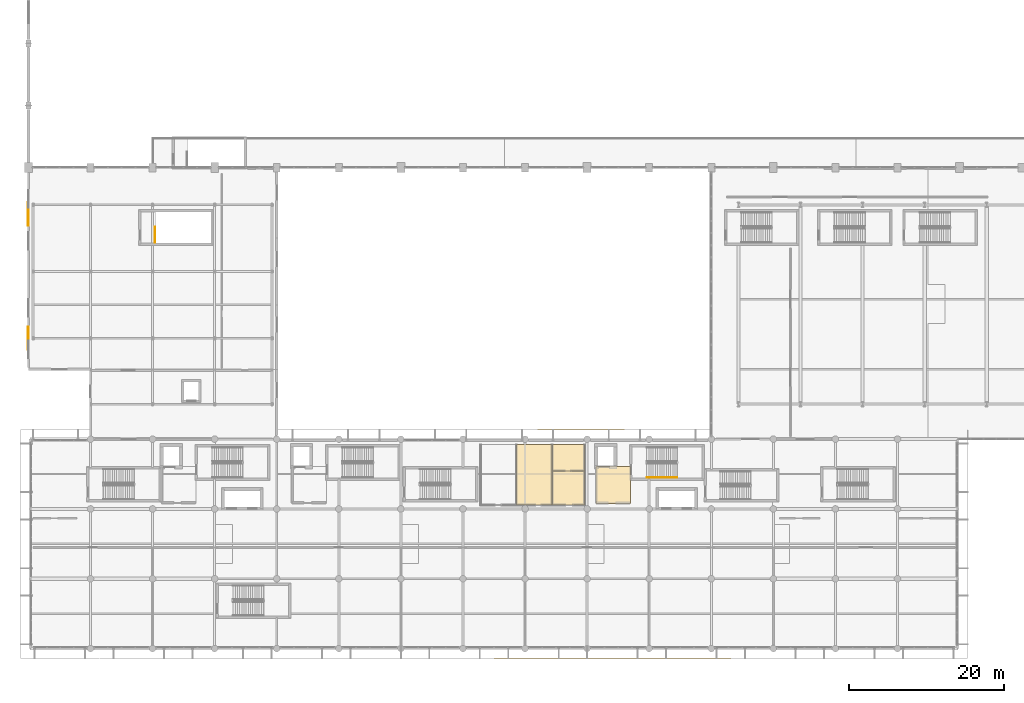
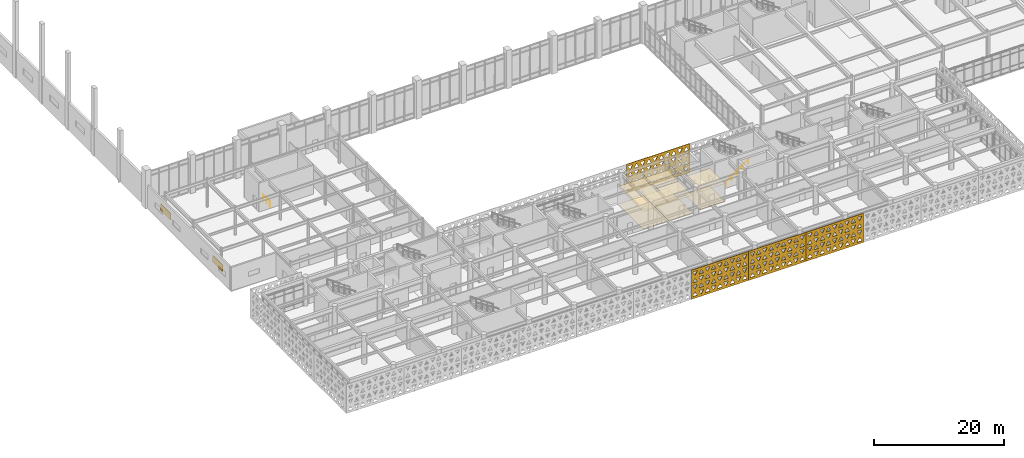
# One storey, part 76 of 84: 12 coverings, 2 railings, 2 shading devices.
"""IFC4 building model written with IfcOpenShell, lengths in metres."""

from ifc_helpers import new_model, si_unit, direction, frame, origin, origin_2d, place, context, subcontext, project, spatial, polyline, rectangle, circle, outline, extrude, material, layer, layer_set, type_object, element, save


model = new_model("IFC4")

# Units and contexts
model_context = context("Model", 3, precision=1e-05, world=origin(), true_north=direction((0.0, 1.0)))
body_context = subcontext(model_context, "Body", "Model", "MODEL_VIEW")
ifc_project = project(units=[si_unit("LENGTHUNIT", "METRE"), si_unit("AREAUNIT", "SQUARE_METRE"), si_unit("VOLUMEUNIT", "CUBIC_METRE"), si_unit("PLANEANGLEUNIT", "RADIAN"), si_unit("MASSUNIT", "GRAM", prefix="KILO")], contexts=[model_context])

# Site, building, storey
site_placement = place(None, origin())
site = spatial("IfcSite", under=ifc_project, at=site_placement, CompositionType="ELEMENT")
building_placement = place(site_placement, origin())
building = spatial("IfcBuilding", under=site, at=building_placement, Name="Tlacozan Convention Centre", CompositionType="ELEMENT")
storey_placement = place(building_placement, frame((0.0, 0.0, 6.0)))
storey = spatial("IfcBuildingStorey", under=building, at=storey_placement, Name="L01", CompositionType="ELEMENT", Elevation=6.0)

# Coverings
ifc_material_1 = material(Name="Perforated Acoustic Mineral Fibre Ceiling")
ifc_layer_1 = layer(ifc_material_1, 0.02490234375)
ifc_layer_set_1 = layer_set([ifc_layer_1], Name="Perforated Acoustic Mineral Fibre Ceiling")
covering_type_1 = type_object("IfcCoveringType", Name="Acoustic Mineral Fibre Ceiling 25", PredefinedType="CEILING", material=ifc_layer_set_1)
covering_1_placement = place(storey_placement, frame((0.0, 0.0, 3.300048828125)))
element("IfcCovering", 1, at=covering_1_placement, inside=storey, type_object=covering_type_1, Name="L01 Acoustic Ceiling L01-FFL-2", PredefinedType="CEILING", context=body_context, shape_type="SweptSolid", body=[
    extrude(outline(polyline([(73.1201171875, 18.719970703125), (77.580078125, 18.719970703125), (77.580078125, 23.47998046875), (73.1201171875, 23.47998046875), (73.1201171875, 18.719970703125)])), origin(), (0.0, 0.0, 1.0), 0.02490234375),
])
covering_2_placement = place(storey_placement, frame((0.0, 0.0, 3.300048828125)))
element("IfcCovering", 2, at=covering_2_placement, inside=storey, type_object=covering_type_1, Name="L01 Acoustic Ceiling L01-WC2", PredefinedType="CEILING", context=body_context, shape_type="SweptSolid", body=[
    extrude(outline(polyline([(62.919921875, 18.52001953125), (67.47998046875, 18.52001953125), (67.47998046875, 26.280029296875), (62.919921875, 26.280029296875), (62.919921875, 18.52001953125)])), origin(), (0.0, 0.0, 1.0), 0.02490234375),
])
covering_3_placement = place(storey_placement, frame((0.0, 0.0, 3.300048828125)))
element("IfcCovering", 3, at=covering_3_placement, inside=storey, type_object=covering_type_1, Name="L01 Acoustic Ceiling L01-WCA", PredefinedType="CEILING", context=body_context, shape_type="SweptSolid", body=[
    extrude(outline(polyline([(67.52001953125, 18.52001953125), (71.679931640625, 18.52001953125), (71.679931640625, 22.8798828125), (67.52001953125, 22.8798828125), (67.52001953125, 18.52001953125)])), origin(), (0.0, 0.0, 1.0), 0.02490234375),
])
covering_4_placement = place(storey_placement, frame((0.0, 0.0, 3.300048828125)))
element("IfcCovering", 4, at=covering_4_placement, inside=storey, type_object=covering_type_1, Name="L01 Acoustic Ceiling L01-JAN", PredefinedType="CEILING", context=body_context, shape_type="SweptSolid", body=[
    extrude(outline(polyline([(67.52001953125, 22.919921875), (71.679931640625, 22.919921875), (71.679931640625, 26.280029296875), (67.52001953125, 26.280029296875), (67.52001953125, 22.919921875)])), origin(), (0.0, 0.0, 1.0), 0.02490234375),
])

# Shading devices
ifc_material_2 = material(Name="Dark Bronze Anodised Aluminium", Category="aluminium")
ifc_layer_2 = layer(ifc_material_2, 0.1201171875)
ifc_layer_set_2 = layer_set([ifc_layer_2], Name="Dark Bronze Anodised Aluminium")
shading_device_type = type_object("IfcShadingDeviceType", Name="Acoustic Plant Louvre Bank", PredefinedType="JALOUSIE", material=ifc_layer_set_2)
for number, where, z_axis, x_axis, name in (
    (5, (0.0, 40.0, 2.0), (0.0, 0.0, 1.0), (0.0, 1.0, 0.0), "L01 Acoustic Plant Louvre 4"),
    (6, (0.0, 56.0, 2.0), (0.0, 0.0, 1.0), (0.0, 1.0, 0.0), "L01 Acoustic Plant Louvre 5"),
):
    element("IfcShadingDevice", number, at=place(storey_placement, frame(where, z_axis=z_axis, x_axis=x_axis)), inside=storey, type_object=shading_device_type, Name=name, PredefinedType="JALOUSIE", context=body_context, shape_type="SweptSolid", body=[
        extrude(rectangle(XDim=3.0, YDim=0.1201171875, at=origin_2d()), origin(), (0.0, 0.0, 1.0), 1.199951171875),
    ])

# Coverings
ifc_material_3 = material(Name="Polished Basalt Terrazzo Flooring", Category="masonry")
ifc_layer_3 = layer(ifc_material_3, 0.02001953125)
ifc_layer_set_3 = layer_set([ifc_layer_3], Name="Polished Basalt Terrazzo Flooring")
covering_type_2 = type_object("IfcCoveringType", Name="Polished Basalt Terrazzo Flooring 20", PredefinedType="FLOORING", material=ifc_layer_set_3)
covering_5_placement = place(storey_placement, origin())
element("IfcCovering", 7, at=covering_5_placement, inside=storey, type_object=covering_type_2, Name="L01 Terrazzo Flooring L01-FFL-2", PredefinedType="FLOORING", context=body_context, shape_type="SweptSolid", body=[
    extrude(outline(polyline([(73.1201171875, 18.719970703125), (77.580078125, 18.719970703125), (77.580078125, 23.47998046875), (73.1201171875, 23.47998046875), (73.1201171875, 18.719970703125)])), origin(), (0.0, 0.0, 1.0), 0.02001953125),
])
covering_6_placement = place(storey_placement, origin())
element("IfcCovering", 8, at=covering_6_placement, inside=storey, type_object=covering_type_2, Name="L01 Terrazzo Flooring L01-WC2", PredefinedType="FLOORING", context=body_context, shape_type="SweptSolid", body=[
    extrude(outline(polyline([(62.919921875, 18.52001953125), (67.47998046875, 18.52001953125), (67.47998046875, 26.280029296875), (62.919921875, 26.280029296875), (62.919921875, 18.52001953125)])), origin(), (0.0, 0.0, 1.0), 0.02001953125),
])
covering_7_placement = place(storey_placement, origin())
element("IfcCovering", 9, at=covering_7_placement, inside=storey, type_object=covering_type_2, Name="L01 Terrazzo Flooring L01-WCA", PredefinedType="FLOORING", context=body_context, shape_type="SweptSolid", body=[
    extrude(outline(polyline([(67.52001953125, 18.52001953125), (71.679931640625, 18.52001953125), (71.679931640625, 22.8798828125), (67.52001953125, 22.8798828125), (67.52001953125, 18.52001953125)])), origin(), (0.0, 0.0, 1.0), 0.02001953125),
])
covering_8_placement = place(storey_placement, origin())
element("IfcCovering", 10, at=covering_8_placement, inside=storey, type_object=covering_type_2, Name="L01 Terrazzo Flooring L01-JAN", PredefinedType="FLOORING", context=body_context, shape_type="SweptSolid", body=[
    extrude(outline(polyline([(67.52001953125, 22.919921875), (71.679931640625, 22.919921875), (71.679931640625, 26.280029296875), (67.52001953125, 26.280029296875), (67.52001953125, 22.919921875)])), origin(), (0.0, 0.0, 1.0), 0.02001953125),
])

# Railings
ifc_material_4 = material(Name="Architectural Painted Galvanised Steel Railing", Category="steel")
railing_type_1 = type_object("IfcRailingType", Name="Stair Wall Handrail 900", PredefinedType="HANDRAIL", material=ifc_material_4)
railing_1_placement = place(storey_placement, frame((79.679931640625, 22.050048828125, 0.179931640625)))
element("IfcRailing", 11, at=railing_1_placement, inside=storey, type_object=railing_type_1, Name="L01 ST-02 stair handrail 1", PredefinedType="HANDRAIL", context=body_context, shape_type="SweptSolid", body=[
    extrude(circle(Radius=0.02392578125, at=origin_2d()), frame((0.0, 0.0, 0.8759765625), z_axis=(0.823567234665, 0.0, 0.567218661528), x_axis=(0.0, 1.0, 0.0)), (0.0, 0.0, 1.0), 4.760009765625),
    extrude(circle(Radius=0.02099609375, at=origin_2d()), origin(), (0.0, 0.0, 1.0), 0.851806640625),
    extrude(circle(Radius=0.02099609375, at=origin_2d()), frame((0.97998046875, 0.0, 0.675048828125)), (0.0, 0.0, 1.0), 0.851806640625),
    extrude(circle(Radius=0.02099609375, at=origin_2d()), frame((1.9599609375, 0.0, 1.35009765625)), (0.0, 0.0, 1.0), 0.851806640625),
    extrude(circle(Radius=0.02099609375, at=origin_2d()), frame((2.940185546875, 0.0, 2.02490234375)), (0.0, 0.0, 1.0), 0.851806640625),
    extrude(circle(Radius=0.02099609375, at=origin_2d()), frame((3.920166015625, 0.0, 2.699951171875)), (0.0, 0.0, 1.0), 0.851806640625),
])
railing_type_2 = type_object("IfcRailingType", Name="Stair Well Guardrail 1100", PredefinedType="GUARDRAIL", material=ifc_material_4)
railing_2_placement = place(storey_placement, frame((16.330078125, 52.300048828125, 0.0)))
element("IfcRailing", 12, at=railing_2_placement, inside=storey, type_object=railing_type_2, Name="L01 ST-09 top well guard 1", PredefinedType="GUARDRAIL", context=body_context, shape_type="SweptSolid", body=[
    extrude(circle(Radius=0.02392578125, at=origin_2d()), frame((0.0, 0.0, 1.076171875), z_axis=(0.0, 1.0, 0.0), x_axis=(-1.0, 0.0, 0.0)), (0.0, 0.0, 1.0), 2.079833984375),
    extrude(circle(Radius=0.02099609375, at=origin_2d()), origin(), (0.0, 0.0, 1.0), 1.052001953125),
    extrude(circle(Radius=0.02099609375, at=origin_2d()), frame((0.0, 1.0400390625, 0.0)), (0.0, 0.0, 1.0), 1.052001953125),
    extrude(circle(Radius=0.02099609375, at=origin_2d()), frame((0.0, 2.079833984375, 0.0)), (0.0, 0.0, 1.0), 1.052001953125),
])

# Coverings
ifc_material_5 = material(Name="Toluca Fired Terracotta Masonry Solar Screen", Category="masonry")
ifc_layer_4 = layer(ifc_material_5, 0.080078125)
ifc_layer_set_4 = layer_set([ifc_layer_4], Name="Toluca Fired Terracotta Masonry Solar Screen")
covering_type_3 = type_object("IfcCoveringType", Name="Terracotta Triangle Solar Screen 80", PredefinedType="USERDEFINED", material=ifc_layer_set_4)
covering_9_placement = place(storey_placement, frame((60.001953125, -1.25, -0.10009765625), z_axis=(0.0, 0.0, 1.0), x_axis=(1.0, 0.0, 0.0)))
element("IfcCovering", 13, at=covering_9_placement, inside=storey, type_object=covering_type_3, Name="L01 Terracotta Triangle Screen 7", ObjectType="SCREEN", PredefinedType="USERDEFINED", context=body_context, shape_type="SweptSolid", body=[
    extrude(outline(polyline([(0.0, 0.0), (10.171142578125, 0.0), (10.171142578125, 5.4501953125), (0.0, 5.4501953125), (0.0, 0.0)]), holes=[polyline([(0.271484375, 0.41796875), (1.099609375, 0.41796875), (0.685546875, 1.1845703125), (0.271484375, 0.41796875)]), polyline([(1.37158203125, 1.1845703125), (2.19970703125, 1.1845703125), (1.78564453125, 0.41796875), (1.37158203125, 1.1845703125)]), polyline([(2.471435546875, 0.41796875), (3.299560546875, 0.41796875), (2.885498046875, 1.1845703125), (2.471435546875, 0.41796875)]), polyline([(3.571533203125, 1.1845703125), (4.399658203125, 1.1845703125), (3.985595703125, 0.41796875), (3.571533203125, 1.1845703125)]), polyline([(4.671630859375, 0.41796875), (5.49951171875, 0.41796875), (5.08544921875, 1.1845703125), (4.671630859375, 0.41796875)]), polyline([(5.771484375, 1.1845703125), (6.599609375, 1.1845703125), (6.185546875, 0.41796875), (5.771484375, 1.1845703125)]), polyline([(6.87158203125, 0.41796875), (7.69970703125, 0.41796875), (7.28564453125, 1.1845703125), (6.87158203125, 0.41796875)]), polyline([(7.971435546875, 1.1845703125), (8.799560546875, 1.1845703125), (8.385498046875, 0.41796875), (7.971435546875, 1.1845703125)]), polyline([(9.071533203125, 0.41796875), (9.899658203125, 0.41796875), (9.485595703125, 1.1845703125), (9.071533203125, 0.41796875)]), polyline([(0.271484375, 2.46728515625), (1.099609375, 2.46728515625), (0.685546875, 1.700439453125), (0.271484375, 2.46728515625)]), polyline([(1.37158203125, 1.700439453125), (2.19970703125, 1.700439453125), (1.78564453125, 2.46728515625), (1.37158203125, 1.700439453125)]), polyline([(2.471435546875, 2.46728515625), (3.299560546875, 2.46728515625), (2.885498046875, 1.700439453125), (2.471435546875, 2.46728515625)]), polyline([(3.571533203125, 1.700439453125), (4.399658203125, 1.700439453125), (3.985595703125, 2.46728515625), (3.571533203125, 1.700439453125)]), polyline([(4.671630859375, 2.46728515625), (5.49951171875, 2.46728515625), (5.08544921875, 1.700439453125), (4.671630859375, 2.46728515625)]), polyline([(5.771484375, 1.700439453125), (6.599609375, 1.700439453125), (6.185546875, 2.46728515625), (5.771484375, 1.700439453125)]), polyline([(6.87158203125, 2.46728515625), (7.69970703125, 2.46728515625), (7.28564453125, 1.700439453125), (6.87158203125, 2.46728515625)]), polyline([(7.971435546875, 1.700439453125), (8.799560546875, 1.700439453125), (8.385498046875, 2.46728515625), (7.971435546875, 1.700439453125)]), polyline([(9.071533203125, 2.46728515625), (9.899658203125, 2.46728515625), (9.485595703125, 1.700439453125), (9.071533203125, 2.46728515625)]), polyline([(0.271484375, 2.98291015625), (1.099609375, 2.98291015625), (0.685546875, 3.749755859375), (0.271484375, 2.98291015625)]), polyline([(1.37158203125, 3.749755859375), (2.19970703125, 3.749755859375), (1.78564453125, 2.98291015625), (1.37158203125, 3.749755859375)]), polyline([(2.471435546875, 2.98291015625), (3.299560546875, 2.98291015625), (2.885498046875, 3.749755859375), (2.471435546875, 2.98291015625)]), polyline([(3.571533203125, 3.749755859375), (4.399658203125, 3.749755859375), (3.985595703125, 2.98291015625), (3.571533203125, 3.749755859375)]), polyline([(4.671630859375, 2.98291015625), (5.49951171875, 2.98291015625), (5.08544921875, 3.749755859375), (4.671630859375, 2.98291015625)]), polyline([(5.771484375, 3.749755859375), (6.599609375, 3.749755859375), (6.185546875, 2.98291015625), (5.771484375, 3.749755859375)]), polyline([(6.87158203125, 2.98291015625), (7.69970703125, 2.98291015625), (7.28564453125, 3.749755859375), (6.87158203125, 2.98291015625)]), polyline([(7.971435546875, 3.749755859375), (8.799560546875, 3.749755859375), (8.385498046875, 2.98291015625), (7.971435546875, 3.749755859375)]), polyline([(9.071533203125, 2.98291015625), (9.899658203125, 2.98291015625), (9.485595703125, 3.749755859375), (9.071533203125, 2.98291015625)]), polyline([(0.271484375, 5.0322265625), (1.099609375, 5.0322265625), (0.685546875, 4.265625), (0.271484375, 5.0322265625)]), polyline([(1.37158203125, 4.265625), (2.19970703125, 4.265625), (1.78564453125, 5.0322265625), (1.37158203125, 4.265625)]), polyline([(2.471435546875, 5.0322265625), (3.299560546875, 5.0322265625), (2.885498046875, 4.265625), (2.471435546875, 5.0322265625)]), polyline([(3.571533203125, 4.265625), (4.399658203125, 4.265625), (3.985595703125, 5.0322265625), (3.571533203125, 4.265625)]), polyline([(4.671630859375, 5.0322265625), (5.49951171875, 5.0322265625), (5.08544921875, 4.265625), (4.671630859375, 5.0322265625)]), polyline([(5.771484375, 4.265625), (6.599609375, 4.265625), (6.185546875, 5.0322265625), (5.771484375, 4.265625)]), polyline([(6.87158203125, 5.0322265625), (7.69970703125, 5.0322265625), (7.28564453125, 4.265625), (6.87158203125, 5.0322265625)]), polyline([(7.971435546875, 4.265625), (8.799560546875, 4.265625), (8.385498046875, 5.0322265625), (7.971435546875, 4.265625)]), polyline([(9.071533203125, 5.0322265625), (9.899658203125, 5.0322265625), (9.485595703125, 4.265625), (9.071533203125, 5.0322265625)])]), frame((0.0, 0.0400390625, 0.0), z_axis=(0.0, -1.0, 0.0), x_axis=(1.0, 0.0, 0.0)), (0.0, 0.0, 1.0), 0.080078125),
])
covering_10_placement = place(storey_placement, frame((70.177001953125, -1.25, -0.10009765625), z_axis=(0.0, 0.0, 1.0), x_axis=(1.0, 0.0, 0.0)))
element("IfcCovering", 14, at=covering_10_placement, inside=storey, type_object=covering_type_3, Name="L01 Terracotta Triangle Screen 8", ObjectType="SCREEN", PredefinedType="USERDEFINED", context=body_context, shape_type="SweptSolid", body=[
    extrude(outline(polyline([(0.0, 0.0), (10.1708984375, 0.0), (10.1708984375, 5.4501953125), (0.0, 5.4501953125), (0.0, 0.0)]), holes=[polyline([(0.271484375, 0.41796875), (1.099365234375, 0.41796875), (0.685546875, 1.1845703125), (0.271484375, 0.41796875)]), polyline([(1.371337890625, 1.1845703125), (2.199462890625, 1.1845703125), (1.785400390625, 0.41796875), (1.371337890625, 1.1845703125)]), polyline([(2.471435546875, 0.41796875), (3.299560546875, 0.41796875), (2.885498046875, 1.1845703125), (2.471435546875, 0.41796875)]), polyline([(3.571533203125, 1.1845703125), (4.3994140625, 1.1845703125), (3.9853515625, 0.41796875), (3.571533203125, 1.1845703125)]), polyline([(4.67138671875, 0.41796875), (5.49951171875, 0.41796875), (5.08544921875, 1.1845703125), (4.67138671875, 0.41796875)]), polyline([(5.771484375, 1.1845703125), (6.599365234375, 1.1845703125), (6.185546875, 0.41796875), (5.771484375, 1.1845703125)]), polyline([(6.871337890625, 0.41796875), (7.699462890625, 0.41796875), (7.285400390625, 1.1845703125), (6.871337890625, 0.41796875)]), polyline([(7.971435546875, 1.1845703125), (8.799560546875, 1.1845703125), (8.385498046875, 0.41796875), (7.971435546875, 1.1845703125)]), polyline([(9.071533203125, 0.41796875), (9.8994140625, 0.41796875), (9.4853515625, 1.1845703125), (9.071533203125, 0.41796875)]), polyline([(0.271484375, 2.46728515625), (1.099365234375, 2.46728515625), (0.685546875, 1.700439453125), (0.271484375, 2.46728515625)]), polyline([(1.371337890625, 1.700439453125), (2.199462890625, 1.700439453125), (1.785400390625, 2.46728515625), (1.371337890625, 1.700439453125)]), polyline([(2.471435546875, 2.46728515625), (3.299560546875, 2.46728515625), (2.885498046875, 1.700439453125), (2.471435546875, 2.46728515625)]), polyline([(3.571533203125, 1.700439453125), (4.3994140625, 1.700439453125), (3.9853515625, 2.46728515625), (3.571533203125, 1.700439453125)]), polyline([(4.67138671875, 2.46728515625), (5.49951171875, 2.46728515625), (5.08544921875, 1.700439453125), (4.67138671875, 2.46728515625)]), polyline([(5.771484375, 1.700439453125), (6.599365234375, 1.700439453125), (6.185546875, 2.46728515625), (5.771484375, 1.700439453125)]), polyline([(6.871337890625, 2.46728515625), (7.699462890625, 2.46728515625), (7.285400390625, 1.700439453125), (6.871337890625, 2.46728515625)]), polyline([(7.971435546875, 1.700439453125), (8.799560546875, 1.700439453125), (8.385498046875, 2.46728515625), (7.971435546875, 1.700439453125)]), polyline([(9.071533203125, 2.46728515625), (9.8994140625, 2.46728515625), (9.4853515625, 1.700439453125), (9.071533203125, 2.46728515625)]), polyline([(0.271484375, 2.98291015625), (1.099365234375, 2.98291015625), (0.685546875, 3.749755859375), (0.271484375, 2.98291015625)]), polyline([(1.371337890625, 3.749755859375), (2.199462890625, 3.749755859375), (1.785400390625, 2.98291015625), (1.371337890625, 3.749755859375)]), polyline([(2.471435546875, 2.98291015625), (3.299560546875, 2.98291015625), (2.885498046875, 3.749755859375), (2.471435546875, 2.98291015625)]), polyline([(3.571533203125, 3.749755859375), (4.3994140625, 3.749755859375), (3.9853515625, 2.98291015625), (3.571533203125, 3.749755859375)]), polyline([(4.67138671875, 2.98291015625), (5.49951171875, 2.98291015625), (5.08544921875, 3.749755859375), (4.67138671875, 2.98291015625)]), polyline([(5.771484375, 3.749755859375), (6.599365234375, 3.749755859375), (6.185546875, 2.98291015625), (5.771484375, 3.749755859375)]), polyline([(6.871337890625, 2.98291015625), (7.699462890625, 2.98291015625), (7.285400390625, 3.749755859375), (6.871337890625, 2.98291015625)]), polyline([(7.971435546875, 3.749755859375), (8.799560546875, 3.749755859375), (8.385498046875, 2.98291015625), (7.971435546875, 3.749755859375)]), polyline([(9.071533203125, 2.98291015625), (9.8994140625, 2.98291015625), (9.4853515625, 3.749755859375), (9.071533203125, 2.98291015625)]), polyline([(0.271484375, 5.0322265625), (1.099365234375, 5.0322265625), (0.685546875, 4.265625), (0.271484375, 5.0322265625)]), polyline([(1.371337890625, 4.265625), (2.199462890625, 4.265625), (1.785400390625, 5.0322265625), (1.371337890625, 4.265625)]), polyline([(2.471435546875, 5.0322265625), (3.299560546875, 5.0322265625), (2.885498046875, 4.265625), (2.471435546875, 5.0322265625)]), polyline([(3.571533203125, 4.265625), (4.3994140625, 4.265625), (3.9853515625, 5.0322265625), (3.571533203125, 4.265625)]), polyline([(4.67138671875, 5.0322265625), (5.49951171875, 5.0322265625), (5.08544921875, 4.265625), (4.67138671875, 5.0322265625)]), polyline([(5.771484375, 4.265625), (6.599365234375, 4.265625), (6.185546875, 5.0322265625), (5.771484375, 4.265625)]), polyline([(6.871337890625, 5.0322265625), (7.699462890625, 5.0322265625), (7.285400390625, 4.265625), (6.871337890625, 5.0322265625)]), polyline([(7.971435546875, 4.265625), (8.799560546875, 4.265625), (8.385498046875, 5.0322265625), (7.971435546875, 4.265625)]), polyline([(9.071533203125, 5.0322265625), (9.8994140625, 5.0322265625), (9.4853515625, 4.265625), (9.071533203125, 5.0322265625)])]), frame((0.0, 0.0400390625, 0.0), z_axis=(0.0, -1.0, 0.0), x_axis=(1.0, 0.0, 0.0)), (0.0, 0.0, 1.0), 0.080078125),
])
covering_11_placement = place(storey_placement, frame((80.35205078125, -1.25, -0.10009765625), z_axis=(0.0, 0.0, 1.0), x_axis=(1.0, 0.0, 0.0)))
element("IfcCovering", 15, at=covering_11_placement, inside=storey, type_object=covering_type_3, Name="L01 Terracotta Triangle Screen 9", ObjectType="SCREEN", PredefinedType="USERDEFINED", context=body_context, shape_type="SweptSolid", body=[
    extrude(outline(polyline([(0.0, 0.0), (10.1708984375, 0.0), (10.1708984375, 5.4501953125), (0.0, 5.4501953125), (0.0, 0.0)]), holes=[polyline([(0.271484375, 0.41796875), (1.099365234375, 0.41796875), (0.685546875, 1.1845703125), (0.271484375, 0.41796875)]), polyline([(1.371337890625, 1.1845703125), (2.199462890625, 1.1845703125), (1.785400390625, 0.41796875), (1.371337890625, 1.1845703125)]), polyline([(2.471435546875, 0.41796875), (3.299560546875, 0.41796875), (2.885498046875, 1.1845703125), (2.471435546875, 0.41796875)]), polyline([(3.571533203125, 1.1845703125), (4.3994140625, 1.1845703125), (3.9853515625, 0.41796875), (3.571533203125, 1.1845703125)]), polyline([(4.67138671875, 0.41796875), (5.49951171875, 0.41796875), (5.08544921875, 1.1845703125), (4.67138671875, 0.41796875)]), polyline([(5.771484375, 1.1845703125), (6.599365234375, 1.1845703125), (6.185546875, 0.41796875), (5.771484375, 1.1845703125)]), polyline([(6.871337890625, 0.41796875), (7.699462890625, 0.41796875), (7.285400390625, 1.1845703125), (6.871337890625, 0.41796875)]), polyline([(7.971435546875, 1.1845703125), (8.799560546875, 1.1845703125), (8.385498046875, 0.41796875), (7.971435546875, 1.1845703125)]), polyline([(9.071533203125, 0.41796875), (9.8994140625, 0.41796875), (9.4853515625, 1.1845703125), (9.071533203125, 0.41796875)]), polyline([(0.271484375, 2.46728515625), (1.099365234375, 2.46728515625), (0.685546875, 1.700439453125), (0.271484375, 2.46728515625)]), polyline([(1.371337890625, 1.700439453125), (2.199462890625, 1.700439453125), (1.785400390625, 2.46728515625), (1.371337890625, 1.700439453125)]), polyline([(2.471435546875, 2.46728515625), (3.299560546875, 2.46728515625), (2.885498046875, 1.700439453125), (2.471435546875, 2.46728515625)]), polyline([(3.571533203125, 1.700439453125), (4.3994140625, 1.700439453125), (3.9853515625, 2.46728515625), (3.571533203125, 1.700439453125)]), polyline([(4.67138671875, 2.46728515625), (5.49951171875, 2.46728515625), (5.08544921875, 1.700439453125), (4.67138671875, 2.46728515625)]), polyline([(5.771484375, 1.700439453125), (6.599365234375, 1.700439453125), (6.185546875, 2.46728515625), (5.771484375, 1.700439453125)]), polyline([(6.871337890625, 2.46728515625), (7.699462890625, 2.46728515625), (7.285400390625, 1.700439453125), (6.871337890625, 2.46728515625)]), polyline([(7.971435546875, 1.700439453125), (8.799560546875, 1.700439453125), (8.385498046875, 2.46728515625), (7.971435546875, 1.700439453125)]), polyline([(9.071533203125, 2.46728515625), (9.8994140625, 2.46728515625), (9.4853515625, 1.700439453125), (9.071533203125, 2.46728515625)]), polyline([(0.271484375, 2.98291015625), (1.099365234375, 2.98291015625), (0.685546875, 3.749755859375), (0.271484375, 2.98291015625)]), polyline([(1.371337890625, 3.749755859375), (2.199462890625, 3.749755859375), (1.785400390625, 2.98291015625), (1.371337890625, 3.749755859375)]), polyline([(2.471435546875, 2.98291015625), (3.299560546875, 2.98291015625), (2.885498046875, 3.749755859375), (2.471435546875, 2.98291015625)]), polyline([(3.571533203125, 3.749755859375), (4.3994140625, 3.749755859375), (3.9853515625, 2.98291015625), (3.571533203125, 3.749755859375)]), polyline([(4.67138671875, 2.98291015625), (5.49951171875, 2.98291015625), (5.08544921875, 3.749755859375), (4.67138671875, 2.98291015625)]), polyline([(5.771484375, 3.749755859375), (6.599365234375, 3.749755859375), (6.185546875, 2.98291015625), (5.771484375, 3.749755859375)]), polyline([(6.871337890625, 2.98291015625), (7.699462890625, 2.98291015625), (7.285400390625, 3.749755859375), (6.871337890625, 2.98291015625)]), polyline([(7.971435546875, 3.749755859375), (8.799560546875, 3.749755859375), (8.385498046875, 2.98291015625), (7.971435546875, 3.749755859375)]), polyline([(9.071533203125, 2.98291015625), (9.8994140625, 2.98291015625), (9.4853515625, 3.749755859375), (9.071533203125, 2.98291015625)]), polyline([(0.271484375, 5.0322265625), (1.099365234375, 5.0322265625), (0.685546875, 4.265625), (0.271484375, 5.0322265625)]), polyline([(1.371337890625, 4.265625), (2.199462890625, 4.265625), (1.785400390625, 5.0322265625), (1.371337890625, 4.265625)]), polyline([(2.471435546875, 5.0322265625), (3.299560546875, 5.0322265625), (2.885498046875, 4.265625), (2.471435546875, 5.0322265625)]), polyline([(3.571533203125, 4.265625), (4.3994140625, 4.265625), (3.9853515625, 5.0322265625), (3.571533203125, 4.265625)]), polyline([(4.67138671875, 5.0322265625), (5.49951171875, 5.0322265625), (5.08544921875, 4.265625), (4.67138671875, 5.0322265625)]), polyline([(5.771484375, 4.265625), (6.599365234375, 4.265625), (6.185546875, 5.0322265625), (5.771484375, 4.265625)]), polyline([(6.871337890625, 5.0322265625), (7.699462890625, 5.0322265625), (7.285400390625, 4.265625), (6.871337890625, 5.0322265625)]), polyline([(7.971435546875, 4.265625), (8.799560546875, 4.265625), (8.385498046875, 5.0322265625), (7.971435546875, 4.265625)]), polyline([(9.071533203125, 5.0322265625), (9.8994140625, 5.0322265625), (9.4853515625, 4.265625), (9.071533203125, 5.0322265625)])]), frame((0.0, 0.0400390625, 0.0), z_axis=(0.0, -1.0, 0.0), x_axis=(1.0, 0.0, 0.0)), (0.0, 0.0, 1.0), 0.080078125),
])
covering_12_placement = place(storey_placement, frame((65.60205078125, 28.25, -0.10009765625), z_axis=(0.0, 0.0, 1.0), x_axis=(1.0, 0.0, 0.0)))
element("IfcCovering", 16, at=covering_12_placement, inside=storey, type_object=covering_type_3, Name="L01 Terracotta Triangle Screen 23", ObjectType="SCREEN", PredefinedType="USERDEFINED", context=body_context, shape_type="SweptSolid", body=[
    extrude(outline(polyline([(0.0, 0.0), (11.196044921875, 0.0), (11.196044921875, 5.4501953125), (0.0, 5.4501953125), (0.0, 0.0)]), holes=[polyline([(0.23388671875, 0.41796875), (1.06201171875, 0.41796875), (0.64794921875, 1.1845703125), (0.23388671875, 0.41796875)]), polyline([(1.333984375, 1.1845703125), (2.162109375, 1.1845703125), (1.748046875, 0.41796875), (1.333984375, 1.1845703125)]), polyline([(2.43408203125, 0.41796875), (3.261962890625, 0.41796875), (2.84814453125, 1.1845703125), (2.43408203125, 0.41796875)]), polyline([(3.533935546875, 1.1845703125), (4.362060546875, 1.1845703125), (3.947998046875, 0.41796875), (3.533935546875, 1.1845703125)]), polyline([(4.634033203125, 0.41796875), (5.462158203125, 0.41796875), (5.048095703125, 1.1845703125), (4.634033203125, 0.41796875)]), polyline([(5.73388671875, 1.1845703125), (6.56201171875, 1.1845703125), (6.14794921875, 0.41796875), (5.73388671875, 1.1845703125)]), polyline([(6.833984375, 0.41796875), (7.662109375, 0.41796875), (7.248046875, 1.1845703125), (6.833984375, 0.41796875)]), polyline([(7.93408203125, 1.1845703125), (8.761962890625, 1.1845703125), (8.34814453125, 0.41796875), (7.93408203125, 1.1845703125)]), polyline([(9.033935546875, 0.41796875), (9.862060546875, 0.41796875), (9.447998046875, 1.1845703125), (9.033935546875, 0.41796875)]), polyline([(10.134033203125, 1.1845703125), (10.962158203125, 1.1845703125), (10.548095703125, 0.41796875), (10.134033203125, 1.1845703125)]), polyline([(0.23388671875, 2.46728515625), (1.06201171875, 2.46728515625), (0.64794921875, 1.700439453125), (0.23388671875, 2.46728515625)]), polyline([(1.333984375, 1.700439453125), (2.162109375, 1.700439453125), (1.748046875, 2.46728515625), (1.333984375, 1.700439453125)]), polyline([(2.43408203125, 2.46728515625), (3.261962890625, 2.46728515625), (2.84814453125, 1.700439453125), (2.43408203125, 2.46728515625)]), polyline([(3.533935546875, 1.700439453125), (4.362060546875, 1.700439453125), (3.947998046875, 2.46728515625), (3.533935546875, 1.700439453125)]), polyline([(4.634033203125, 2.46728515625), (5.462158203125, 2.46728515625), (5.048095703125, 1.700439453125), (4.634033203125, 2.46728515625)]), polyline([(5.73388671875, 1.700439453125), (6.56201171875, 1.700439453125), (6.14794921875, 2.46728515625), (5.73388671875, 1.700439453125)]), polyline([(6.833984375, 2.46728515625), (7.662109375, 2.46728515625), (7.248046875, 1.700439453125), (6.833984375, 2.46728515625)]), polyline([(7.93408203125, 1.700439453125), (8.761962890625, 1.700439453125), (8.34814453125, 2.46728515625), (7.93408203125, 1.700439453125)]), polyline([(9.033935546875, 2.46728515625), (9.862060546875, 2.46728515625), (9.447998046875, 1.700439453125), (9.033935546875, 2.46728515625)]), polyline([(10.134033203125, 1.700439453125), (10.962158203125, 1.700439453125), (10.548095703125, 2.46728515625), (10.134033203125, 1.700439453125)]), polyline([(0.23388671875, 2.98291015625), (1.06201171875, 2.98291015625), (0.64794921875, 3.749755859375), (0.23388671875, 2.98291015625)]), polyline([(1.333984375, 3.749755859375), (2.162109375, 3.749755859375), (1.748046875, 2.98291015625), (1.333984375, 3.749755859375)]), polyline([(2.43408203125, 2.98291015625), (3.261962890625, 2.98291015625), (2.84814453125, 3.749755859375), (2.43408203125, 2.98291015625)]), polyline([(3.533935546875, 3.749755859375), (4.362060546875, 3.749755859375), (3.947998046875, 2.98291015625), (3.533935546875, 3.749755859375)]), polyline([(4.634033203125, 2.98291015625), (5.462158203125, 2.98291015625), (5.048095703125, 3.749755859375), (4.634033203125, 2.98291015625)]), polyline([(5.73388671875, 3.749755859375), (6.56201171875, 3.749755859375), (6.14794921875, 2.98291015625), (5.73388671875, 3.749755859375)]), polyline([(6.833984375, 2.98291015625), (7.662109375, 2.98291015625), (7.248046875, 3.749755859375), (6.833984375, 2.98291015625)]), polyline([(7.93408203125, 3.749755859375), (8.761962890625, 3.749755859375), (8.34814453125, 2.98291015625), (7.93408203125, 3.749755859375)]), polyline([(9.033935546875, 2.98291015625), (9.862060546875, 2.98291015625), (9.447998046875, 3.749755859375), (9.033935546875, 2.98291015625)]), polyline([(10.134033203125, 3.749755859375), (10.962158203125, 3.749755859375), (10.548095703125, 2.98291015625), (10.134033203125, 3.749755859375)]), polyline([(0.23388671875, 5.0322265625), (1.06201171875, 5.0322265625), (0.64794921875, 4.265625), (0.23388671875, 5.0322265625)]), polyline([(1.333984375, 4.265625), (2.162109375, 4.265625), (1.748046875, 5.0322265625), (1.333984375, 4.265625)]), polyline([(2.43408203125, 5.0322265625), (3.261962890625, 5.0322265625), (2.84814453125, 4.265625), (2.43408203125, 5.0322265625)]), polyline([(3.533935546875, 4.265625), (4.362060546875, 4.265625), (3.947998046875, 5.0322265625), (3.533935546875, 4.265625)]), polyline([(4.634033203125, 5.0322265625), (5.462158203125, 5.0322265625), (5.048095703125, 4.265625), (4.634033203125, 5.0322265625)]), polyline([(5.73388671875, 4.265625), (6.56201171875, 4.265625), (6.14794921875, 5.0322265625), (5.73388671875, 4.265625)]), polyline([(6.833984375, 5.0322265625), (7.662109375, 5.0322265625), (7.248046875, 4.265625), (6.833984375, 5.0322265625)]), polyline([(7.93408203125, 4.265625), (8.761962890625, 4.265625), (8.34814453125, 5.0322265625), (7.93408203125, 4.265625)]), polyline([(9.033935546875, 5.0322265625), (9.862060546875, 5.0322265625), (9.447998046875, 4.265625), (9.033935546875, 5.0322265625)]), polyline([(10.134033203125, 4.265625), (10.962158203125, 4.265625), (10.548095703125, 5.0322265625), (10.134033203125, 4.265625)])]), frame((0.0, 0.0400390625, 0.0), z_axis=(0.0, -1.0, 0.0), x_axis=(1.0, 0.0, 0.0)), (0.0, 0.0, 1.0), 0.080078125),
])

save(model, "model.ifc")
